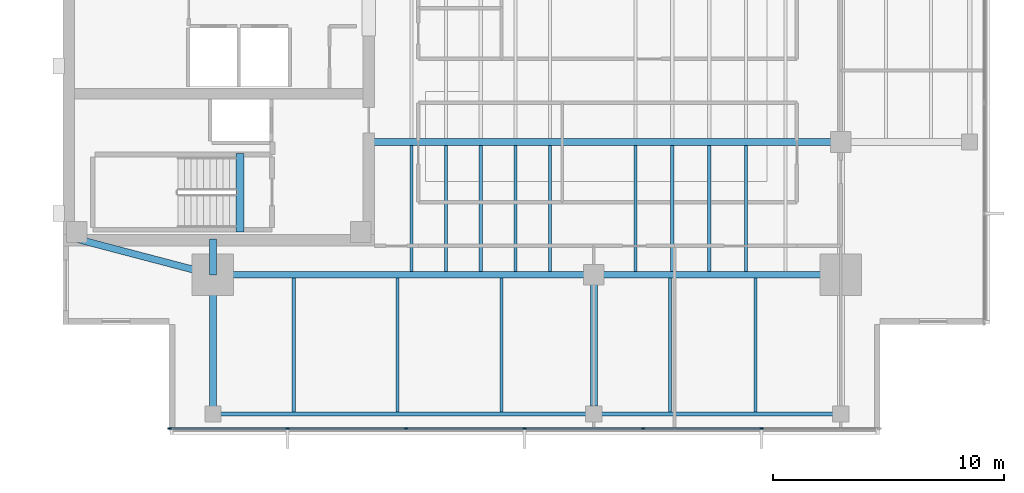
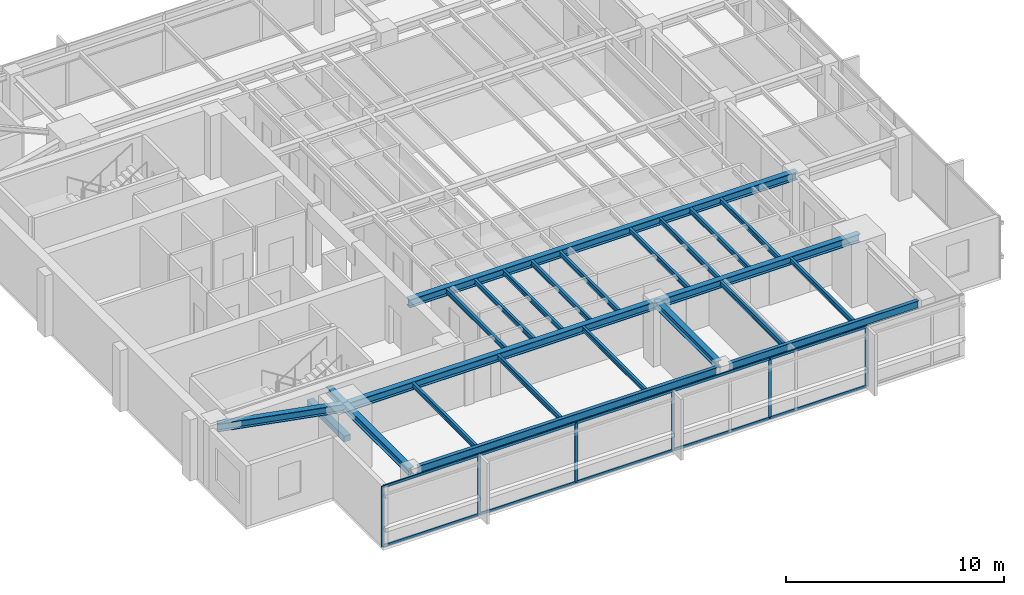
# One storey, part 2 of 14: 24 beams, 16 members, 1 element without a shape of its own.
"""IFC4 building model written with IfcOpenShell, lengths in metres."""

from ifc_helpers import new_model, si_unit, direction, frame, origin, origin_2d, place, context, subcontext, project, spatial, rectangle, i_section, extrude, material, layer, layer_set, material_profile, profile_set, type_object, element, aggregate, save


model = new_model("IFC4")

# Units and contexts
model_context = context("Model", 3, precision=1e-05, world=origin(), true_north=direction((0.0, 1.0)))
body_context = subcontext(model_context, "Body", "Model", "MODEL_VIEW")
ifc_project = project(units=[si_unit("LENGTHUNIT", "METRE"), si_unit("AREAUNIT", "SQUARE_METRE"), si_unit("VOLUMEUNIT", "CUBIC_METRE"), si_unit("PLANEANGLEUNIT", "RADIAN"), si_unit("MASSUNIT", "GRAM", prefix="KILO")], contexts=[model_context])

# Site, building, storey
site_placement = place(None, origin())
site = spatial("IfcSite", under=ifc_project, at=site_placement, CompositionType="ELEMENT")
building_placement = place(site_placement, origin())
building = spatial("IfcBuilding", under=site, at=building_placement, Name="Kinhvarn Gate Tower", CompositionType="ELEMENT")
storey_placement = place(building_placement, frame((0.0, 0.0, 274.10009765625)))
storey = spatial("IfcBuildingStorey", under=building, at=storey_placement, Name="L73", CompositionType="ELEMENT", Elevation=274.10009765625)

# Beam
ifc_material_1 = material(Name="Concrete C50/60", Category="concrete")
ifc_material_profile_1 = material_profile(ifc_material_1, rectangle(XDim=0.340087890625, YDim=0.320068359375, at=origin_2d()), Name="RC 340x320")
ifc_profile_set_1 = profile_set([ifc_material_profile_1], Name="Concrete C50/60")
beam_type_1 = type_object("IfcBeamType", Name="BM-LND-500", PredefinedType="BEAM", material=ifc_profile_set_1)
beam_1_placement = place(storey_placement, frame((12.1650390625, 14.60009765625, -0.16015625), z_axis=(0.0, 1.0, 0.0), x_axis=(-1.0, 0.0, 0.0)))
element("IfcBeam", 1, at=beam_1_placement, inside=storey, type_object=beam_type_1, Name="Stair ST1 Landing Nosing Beam (L73)", PredefinedType="BEAM", context=body_context, shape_type="SweptSolid", body=[
    extrude(rectangle(XDim=0.340087890625, YDim=0.320068359375, at=origin_2d()), origin(), (0.0, 0.0, 1.0), 3.39990234375),
])

# Curtain wall, members
ifc_material_2 = material(Name="Anodised aluminium AW-6063", Category="aluminium")
ifc_layer = layer(ifc_material_2, 0.179931640625)
ifc_layer_set = layer_set([ifc_layer], Name="Anodised aluminium AW-6063")
curtain_wall_type = type_object("IfcCurtainWallType", Name="CW-SYS-3", PredefinedType="NOTDEFINED", material=ifc_layer_set)
curtain_wall_placement = place(storey_placement, origin())
curtain_wall = element("IfcCurtainWall", 2, at=curtain_wall_placement, inside=storey, type_object=curtain_wall_type, Name="Curtain Wall CW3 (L73)", PredefinedType="NOTDEFINED")
ifc_material_profile_2 = material_profile(ifc_material_2, rectangle(XDim=0.06494140625, YDim=0.159912109375, at=origin_2d()), Name="ALU 65x160")
ifc_profile_set_2 = profile_set([ifc_material_profile_2], Name="Anodised aluminium AW-6063")
member_type_1 = type_object("IfcMemberType", Name="CW-MUL-160", PredefinedType="MULLION", material=ifc_profile_set_2)
member_1_placement = place(storey_placement, frame((9.132568359375, 6.090087890625, 0.0), z_axis=(0.0, 0.0, 1.0), x_axis=(0.0, 1.0, 0.0)))
member_1 = element("IfcMember", 3, at=member_1_placement, type_object=member_type_1, Name="CW3 mullion 1", PredefinedType="MULLION", context=body_context, shape_type="SweptSolid", body=[
    extrude(rectangle(XDim=0.06494140625, YDim=0.159912109375, at=origin_2d()), origin(), (0.0, 0.0, 1.0), 3.389892578125),
])
member_2_placement = place(storey_placement, frame((14.2333984375, 6.090087890625, 0.0), z_axis=(0.0, 0.0, 1.0), x_axis=(0.0, 1.0, 0.0)))
member_2 = element("IfcMember", 4, at=member_2_placement, type_object=member_type_1, Name="CW3 mullion 2", PredefinedType="MULLION", context=body_context, shape_type="SweptSolid", body=[
    extrude(rectangle(XDim=0.06494140625, YDim=0.159912109375, at=origin_2d()), origin(), (0.0, 0.0, 1.0), 3.389892578125),
])
member_3_placement = place(storey_placement, frame((19.36669921875, 6.090087890625, 0.0), z_axis=(0.0, 0.0, 1.0), x_axis=(0.0, 1.0, 0.0)))
member_3 = element("IfcMember", 5, at=member_3_placement, type_object=member_type_1, Name="CW3 mullion 3", PredefinedType="MULLION", context=body_context, shape_type="SweptSolid", body=[
    extrude(rectangle(XDim=0.06494140625, YDim=0.159912109375, at=origin_2d()), origin(), (0.0, 0.0, 1.0), 3.389892578125),
])
member_4_placement = place(storey_placement, frame((24.5, 6.090087890625, 0.0), z_axis=(0.0, 0.0, 1.0), x_axis=(0.0, 1.0, 0.0)))
member_4 = element("IfcMember", 6, at=member_4_placement, type_object=member_type_1, Name="CW3 mullion 4", PredefinedType="MULLION", context=body_context, shape_type="SweptSolid", body=[
    extrude(rectangle(XDim=0.06494140625, YDim=0.159912109375, at=origin_2d()), origin(), (0.0, 0.0, 1.0), 3.389892578125),
])
member_5_placement = place(storey_placement, frame((29.63330078125, 6.090087890625, 0.0), z_axis=(0.0, 0.0, 1.0), x_axis=(0.0, 1.0, 0.0)))
member_5 = element("IfcMember", 7, at=member_5_placement, type_object=member_type_1, Name="CW3 mullion 5", PredefinedType="MULLION", context=body_context, shape_type="SweptSolid", body=[
    extrude(rectangle(XDim=0.06494140625, YDim=0.159912109375, at=origin_2d()), origin(), (0.0, 0.0, 1.0), 3.389892578125),
])
member_6_placement = place(storey_placement, frame((34.7666015625, 6.090087890625, 0.0), z_axis=(0.0, 0.0, 1.0), x_axis=(0.0, 1.0, 0.0)))
member_6 = element("IfcMember", 8, at=member_6_placement, type_object=member_type_1, Name="CW3 mullion 6", PredefinedType="MULLION", context=body_context, shape_type="SweptSolid", body=[
    extrude(rectangle(XDim=0.06494140625, YDim=0.159912109375, at=origin_2d()), origin(), (0.0, 0.0, 1.0), 3.389892578125),
])
ifc_material_profile_3 = material_profile(ifc_material_2, rectangle(XDim=0.070068359375, YDim=0.139892578125, at=origin_2d()), Name="ALU 70x140")
ifc_profile_set_3 = profile_set([ifc_material_profile_3], Name="Anodised aluminium AW-6063")
member_type_2 = type_object("IfcMemberType", Name="CW-TRN-140", PredefinedType="USERDEFINED", material=ifc_profile_set_3)
member_7_placement = place(storey_placement, frame((9.1650390625, 6.090087890625, 0.034912109375), z_axis=(1.0, 0.0, 0.0), x_axis=(0.0, 1.0, 0.0)))
member_7 = element("IfcMember", 9, at=member_7_placement, type_object=member_type_2, Name="CW3 transom 1.1", ObjectType="TRANSOM", PredefinedType="USERDEFINED", context=body_context, shape_type="SweptSolid", body=[
    extrude(rectangle(XDim=0.070068359375, YDim=0.139892578125, at=origin_2d()), origin(), (0.0, 0.0, 1.0), 5.035888671875),
])
member_8_placement = place(storey_placement, frame((9.1650390625, 6.090087890625, 3.35498046875), z_axis=(1.0, 0.0, 0.0), x_axis=(0.0, 1.0, 0.0)))
member_8 = element("IfcMember", 10, at=member_8_placement, type_object=member_type_2, Name="CW3 transom 1.2", ObjectType="TRANSOM", PredefinedType="USERDEFINED", context=body_context, shape_type="SweptSolid", body=[
    extrude(rectangle(XDim=0.070068359375, YDim=0.139892578125, at=origin_2d()), origin(), (0.0, 0.0, 1.0), 5.035888671875),
])
member_9_placement = place(storey_placement, frame((14.265869140625, 6.090087890625, 0.034912109375), z_axis=(1.0, 0.0, 0.0), x_axis=(0.0, 1.0, 0.0)))
member_9 = element("IfcMember", 11, at=member_9_placement, type_object=member_type_2, Name="CW3 transom 2.1", ObjectType="TRANSOM", PredefinedType="USERDEFINED", context=body_context, shape_type="SweptSolid", body=[
    extrude(rectangle(XDim=0.070068359375, YDim=0.139892578125, at=origin_2d()), origin(), (0.0, 0.0, 1.0), 5.068359375),
])
member_10_placement = place(storey_placement, frame((14.265869140625, 6.090087890625, 3.35498046875), z_axis=(1.0, 0.0, 0.0), x_axis=(0.0, 1.0, 0.0)))
member_10 = element("IfcMember", 12, at=member_10_placement, type_object=member_type_2, Name="CW3 transom 2.2", ObjectType="TRANSOM", PredefinedType="USERDEFINED", context=body_context, shape_type="SweptSolid", body=[
    extrude(rectangle(XDim=0.070068359375, YDim=0.139892578125, at=origin_2d()), origin(), (0.0, 0.0, 1.0), 5.068359375),
])
member_11_placement = place(storey_placement, frame((19.399169921875, 6.090087890625, 0.034912109375), z_axis=(1.0, 0.0, 0.0), x_axis=(0.0, 1.0, 0.0)))
member_11 = element("IfcMember", 13, at=member_11_placement, type_object=member_type_2, Name="CW3 transom 3.1", ObjectType="TRANSOM", PredefinedType="USERDEFINED", context=body_context, shape_type="SweptSolid", body=[
    extrude(rectangle(XDim=0.070068359375, YDim=0.139892578125, at=origin_2d()), origin(), (0.0, 0.0, 1.0), 5.068359375),
])
member_12_placement = place(storey_placement, frame((19.399169921875, 6.090087890625, 3.35498046875), z_axis=(1.0, 0.0, 0.0), x_axis=(0.0, 1.0, 0.0)))
member_12 = element("IfcMember", 14, at=member_12_placement, type_object=member_type_2, Name="CW3 transom 3.2", ObjectType="TRANSOM", PredefinedType="USERDEFINED", context=body_context, shape_type="SweptSolid", body=[
    extrude(rectangle(XDim=0.070068359375, YDim=0.139892578125, at=origin_2d()), origin(), (0.0, 0.0, 1.0), 5.068359375),
])
member_13_placement = place(storey_placement, frame((24.532470703125, 6.090087890625, 0.034912109375), z_axis=(1.0, 0.0, 0.0), x_axis=(0.0, 1.0, 0.0)))
member_13 = element("IfcMember", 15, at=member_13_placement, type_object=member_type_2, Name="CW3 transom 4.1", ObjectType="TRANSOM", PredefinedType="USERDEFINED", context=body_context, shape_type="SweptSolid", body=[
    extrude(rectangle(XDim=0.070068359375, YDim=0.139892578125, at=origin_2d()), origin(), (0.0, 0.0, 1.0), 5.068359375),
])
member_14_placement = place(storey_placement, frame((24.532470703125, 6.090087890625, 3.35498046875), z_axis=(1.0, 0.0, 0.0), x_axis=(0.0, 1.0, 0.0)))
member_14 = element("IfcMember", 16, at=member_14_placement, type_object=member_type_2, Name="CW3 transom 4.2", ObjectType="TRANSOM", PredefinedType="USERDEFINED", context=body_context, shape_type="SweptSolid", body=[
    extrude(rectangle(XDim=0.070068359375, YDim=0.139892578125, at=origin_2d()), origin(), (0.0, 0.0, 1.0), 5.068359375),
])
member_15_placement = place(storey_placement, frame((29.665771484375, 6.090087890625, 0.034912109375), z_axis=(1.0, 0.0, 0.0), x_axis=(0.0, 1.0, 0.0)))
member_15 = element("IfcMember", 17, at=member_15_placement, type_object=member_type_2, Name="CW3 transom 5.1", ObjectType="TRANSOM", PredefinedType="USERDEFINED", context=body_context, shape_type="SweptSolid", body=[
    extrude(rectangle(XDim=0.070068359375, YDim=0.139892578125, at=origin_2d()), origin(), (0.0, 0.0, 1.0), 5.068359375),
])
member_16_placement = place(storey_placement, frame((29.665771484375, 6.090087890625, 3.35498046875), z_axis=(1.0, 0.0, 0.0), x_axis=(0.0, 1.0, 0.0)))
member_16 = element("IfcMember", 18, at=member_16_placement, type_object=member_type_2, Name="CW3 transom 5.2", ObjectType="TRANSOM", PredefinedType="USERDEFINED", context=body_context, shape_type="SweptSolid", body=[
    extrude(rectangle(XDim=0.070068359375, YDim=0.139892578125, at=origin_2d()), origin(), (0.0, 0.0, 1.0), 5.068359375),
])
aggregate(curtain_wall, [member_1, member_2, member_3, member_4, member_5, member_6, member_7, member_8, member_9, member_10, member_11, member_12, member_13, member_14, member_15, member_16])

# Beams
ifc_material_3 = material(Name="Steel S355", Category="steel")
ifc_material_profile_4 = material_profile(ifc_material_3, i_section(OverallWidth=0.300048828125, OverallDepth=0.39990234375, WebThickness=0.013427734375, FlangeThickness=0.02392578125, at=origin_2d()), Name="HEB 400")
ifc_profile_set_4 = profile_set([ifc_material_profile_4], Name="Steel S355")
beam_type_2 = type_object("IfcBeamType", Name="STL-HEB400", PredefinedType="BEAM", material=ifc_profile_set_4)
beam_2_placement = place(storey_placement, frame((11.0, 6.719970703125, 3.18994140625), z_axis=(0.0, 1.0, 0.0), x_axis=(-1.0, 0.0, 0.0)))
element("IfcBeam", 19, at=beam_2_placement, inside=storey, type_object=beam_type_2, Name="Floor Beam PG-12 (L73 MCW-S)", PredefinedType="BEAM", context=body_context, shape_type="SweptSolid", body=[
    extrude(i_section(OverallWidth=0.300048828125, OverallDepth=0.39990234375, WebThickness=0.013427734375, FlangeThickness=0.02392578125, at=origin_2d()), origin(), (0.0, 0.0, 1.0), 6.030029296875),
])
beam_3_placement = place(storey_placement, frame((11.0, 12.75, 3.18994140625), z_axis=(0.0, 1.0, 0.0), x_axis=(-1.0, 0.0, 0.0)))
element("IfcBeam", 20, at=beam_3_placement, inside=storey, type_object=beam_type_2, Name="Floor Beam PG-12 (L73 MCW-CS)", PredefinedType="BEAM", context=body_context, shape_type="SweptSolid", body=[
    extrude(i_section(OverallWidth=0.300048828125, OverallDepth=0.39990234375, WebThickness=0.013427734375, FlangeThickness=0.02392578125, at=origin_2d()), origin(), (0.0, 0.0, 1.0), 1.550048828125),
])
beam_4_placement = place(storey_placement, frame((27.5, 7.054931640625, 3.18994140625), z_axis=(0.0, 1.0, 0.0), x_axis=(-1.0, 0.0, 0.0)))
element("IfcBeam", 21, at=beam_4_placement, inside=storey, type_object=beam_type_2, Name="Floor Beam PG-12 (L73 SP27-S-TIE)", PredefinedType="BEAM", context=body_context, shape_type="SweptSolid", body=[
    extrude(i_section(OverallWidth=0.300048828125, OverallDepth=0.39990234375, WebThickness=0.013427734375, FlangeThickness=0.02392578125, at=origin_2d()), origin(), (0.0, 0.0, 1.0), 5.695068359375),
])
ifc_material_profile_5 = material_profile(ifc_material_3, i_section(OverallWidth=0.300048828125, OverallDepth=0.449951171875, WebThickness=0.013916015625, FlangeThickness=0.02587890625, at=origin_2d()), Name="HEB 450")
ifc_profile_set_5 = profile_set([ifc_material_profile_5], Name="Steel S355")
beam_type_3 = type_object("IfcBeamType", Name="STL-HEB450", PredefinedType="BEAM", material=ifc_profile_set_5)
beam_5_placement = place(storey_placement, frame((11.0, 12.75, 3.164794921875), z_axis=(1.0, 0.0, 0.0), x_axis=(0.0, 1.0, 0.0)))
element("IfcBeam", 22, at=beam_5_placement, inside=storey, type_object=beam_type_3, Name="Floor Beam PG-13 (L73 MG-S1)", PredefinedType="BEAM", context=body_context, shape_type="SweptSolid", body=[
    extrude(i_section(OverallWidth=0.300048828125, OverallDepth=0.449951171875, WebThickness=0.013916015625, FlangeThickness=0.02587890625, at=origin_2d()), origin(), (0.0, 0.0, 1.0), 16.5),
])
beam_6_placement = place(storey_placement, frame((27.5, 12.75, 3.164794921875), z_axis=(1.0, 0.0, 0.0), x_axis=(0.0, 1.0, 0.0)))
element("IfcBeam", 23, at=beam_6_placement, inside=storey, type_object=beam_type_3, Name="Floor Beam PG-13 (L73 MG-S2)", PredefinedType="BEAM", context=body_context, shape_type="SweptSolid", body=[
    extrude(i_section(OverallWidth=0.300048828125, OverallDepth=0.449951171875, WebThickness=0.013916015625, FlangeThickness=0.02587890625, at=origin_2d()), origin(), (0.0, 0.0, 1.0), 10.699951171875),
])
beam_7_placement = place(storey_placement, frame((5.10009765625, 14.300048828125, 3.164794921875), z_axis=(0.967177623957, -0.254101246979, 0.0), x_axis=(0.254101246979, 0.967177623957, 0.0)))
element("IfcBeam", 24, at=beam_7_placement, inside=storey, type_object=beam_type_3, Name="Floor Beam PG-13 (L73 MG-SW-DIAG)", PredefinedType="BEAM", context=body_context, shape_type="SweptSolid", body=[
    extrude(i_section(OverallWidth=0.300048828125, OverallDepth=0.449951171875, WebThickness=0.013916015625, FlangeThickness=0.02587890625, at=origin_2d()), origin(), (0.0, 0.0, 1.0), 6.10009765625),
])
beam_8_placement = place(storey_placement, frame((17.64990234375, 18.5, 3.164794921875), z_axis=(1.0, 0.0, 0.0), x_axis=(0.0, 1.0, 0.0)))
element("IfcBeam", 25, at=beam_8_placement, inside=storey, type_object=beam_type_3, Name="Floor Beam PG-13 (L73 EW1-Y18)", PredefinedType="BEAM", context=body_context, shape_type="SweptSolid", body=[
    extrude(i_section(OverallWidth=0.300048828125, OverallDepth=0.449951171875, WebThickness=0.013916015625, FlangeThickness=0.02587890625, at=origin_2d()), origin(), (0.0, 0.0, 1.0), 20.550048828125),
])
ifc_material_profile_6 = material_profile(ifc_material_3, i_section(OverallWidth=0.135009765625, OverallDepth=0.27001953125, WebThickness=0.006591796875, FlangeThickness=0.01025390625, at=origin_2d()), Name="IPE 270")
ifc_profile_set_6 = profile_set([ifc_material_profile_6], Name="Steel S355")
beam_type_4 = type_object("IfcBeamType", Name="STL-IPE270", PredefinedType="JOIST", material=ifc_profile_set_6)
for number, where, z_axis, x_axis, name in (
    (26, (19.60009765625, 12.89990234375, 3.2548828125), (0.0, 1.0, 0.0), (-1.0, 0.0, 0.0), "Floor Joist SB-01 (L73 JC-X196-0)"),
    (27, (21.10009765625, 12.89990234375, 3.2548828125), (0.0, 1.0, 0.0), (-1.0, 0.0, 0.0), "Floor Joist SB-01 (L73 JC-X211-0)"),
    (28, (22.60009765625, 12.89990234375, 3.2548828125), (0.0, 1.0, 0.0), (-1.0, 0.0, 0.0), "Floor Joist SB-01 (L73 JC-X226-0)"),
    (29, (24.10009765625, 12.89990234375, 3.2548828125), (0.0, 1.0, 0.0), (-1.0, 0.0, 0.0), "Floor Joist SB-01 (L73 JC-X241-0)"),
    (30, (25.60009765625, 12.89990234375, 3.2548828125), (0.0, 1.0, 0.0), (-1.0, 0.0, 0.0), "Floor Joist SB-01 (L73 JC-X256-0)"),
    (31, (29.300048828125, 12.89990234375, 3.2548828125), (0.0, 1.0, 0.0), (-1.0, 0.0, 0.0), "Floor Joist SB-01 (L73 JC-X293-0)"),
    (32, (30.89990234375, 12.89990234375, 3.2548828125), (0.0, 1.0, 0.0), (-1.0, 0.0, 0.0), "Floor Joist SB-01 (L73 JC-X309-0)"),
    (33, (32.5, 12.89990234375, 3.2548828125), (0.0, 1.0, 0.0), (-1.0, 0.0, 0.0), "Floor Joist SB-01 (L73 JC-X325-0)"),
    (34, (34.10009765625, 12.89990234375, 3.2548828125), (0.0, 1.0, 0.0), (-1.0, 0.0, 0.0), "Floor Joist SB-01 (L73 JC-X341-0)"),
):
    element("IfcBeam", number, at=place(storey_placement, frame(where, z_axis=z_axis, x_axis=x_axis)), inside=storey, type_object=beam_type_4, Name=name, PredefinedType="JOIST", context=body_context, shape_type="SweptSolid", body=[
        extrude(i_section(OverallWidth=0.135009765625, OverallDepth=0.27001953125, WebThickness=0.006591796875, FlangeThickness=0.01025390625, at=origin_2d()), origin(), (0.0, 0.0, 1.0), 5.4501953125),
    ])
for number, where, z_axis, x_axis, name in (
    (35, (14.5, 6.81494140625, 3.2548828125), (0.0, 1.0, 0.0), (-1.0, 0.0, 0.0), "Floor Joist SB-01 (L73 JS-X145)"),
    (36, (19.0, 6.81494140625, 3.2548828125), (0.0, 1.0, 0.0), (-1.0, 0.0, 0.0), "Floor Joist SB-01 (L73 JS-X190)"),
    (37, (23.5, 6.81494140625, 3.2548828125), (0.0, 1.0, 0.0), (-1.0, 0.0, 0.0), "Floor Joist SB-01 (L73 JS-X235)"),
    (38, (30.800048828125, 6.81494140625, 3.2548828125), (0.0, 1.0, 0.0), (-1.0, 0.0, 0.0), "Floor Joist SB-01 (L73 JS-X308)"),
    (39, (34.5, 6.81494140625, 3.2548828125), (0.0, 1.0, 0.0), (-1.0, 0.0, 0.0), "Floor Joist SB-01 (L73 JS-X345)"),
):
    element("IfcBeam", number, at=place(storey_placement, frame(where, z_axis=z_axis, x_axis=x_axis)), inside=storey, type_object=beam_type_4, Name=name, PredefinedType="JOIST", context=body_context, shape_type="SweptSolid", body=[
        extrude(i_section(OverallWidth=0.135009765625, OverallDepth=0.27001953125, WebThickness=0.006591796875, FlangeThickness=0.01025390625, at=origin_2d()), origin(), (0.0, 0.0, 1.0), 5.78515625),
    ])
ifc_material_profile_7 = material_profile(ifc_material_3, i_section(OverallWidth=0.18994140625, OverallDepth=0.449951171875, WebThickness=0.009521484375, FlangeThickness=0.0146484375, at=origin_2d()), Name="IPE 450")
ifc_profile_set_7 = profile_set([ifc_material_profile_7], Name="Steel S355")
beam_type_5 = type_object("IfcBeamType", Name="STL-IPE450", PredefinedType="JOIST", material=ifc_profile_set_7)
beam_9_placement = place(storey_placement, frame((11.3349609375, 6.719970703125, 3.164794921875), z_axis=(1.0, 0.0, 0.0), x_axis=(0.0, 1.0, 0.0)))
element("IfcBeam", 40, at=beam_9_placement, inside=storey, type_object=beam_type_5, Name="Floor Joist SB-06 (L73 SP-S1)", PredefinedType="JOIST", context=body_context, shape_type="SweptSolid", body=[
    extrude(i_section(OverallWidth=0.18994140625, OverallDepth=0.449951171875, WebThickness=0.009521484375, FlangeThickness=0.0146484375, at=origin_2d()), origin(), (0.0, 0.0, 1.0), 15.830078125),
])
beam_10_placement = place(storey_placement, frame((27.8349609375, 6.719970703125, 3.164794921875), z_axis=(1.0, 0.0, 0.0), x_axis=(0.0, 1.0, 0.0)))
element("IfcBeam", 41, at=beam_10_placement, inside=storey, type_object=beam_type_5, Name="Floor Joist SB-06 (L73 SP-S2)", PredefinedType="JOIST", context=body_context, shape_type="SweptSolid", body=[
    extrude(i_section(OverallWidth=0.18994140625, OverallDepth=0.449951171875, WebThickness=0.009521484375, FlangeThickness=0.0146484375, at=origin_2d()), origin(), (0.0, 0.0, 1.0), 10.030029296875),
])

save(model, "model.ifc")
